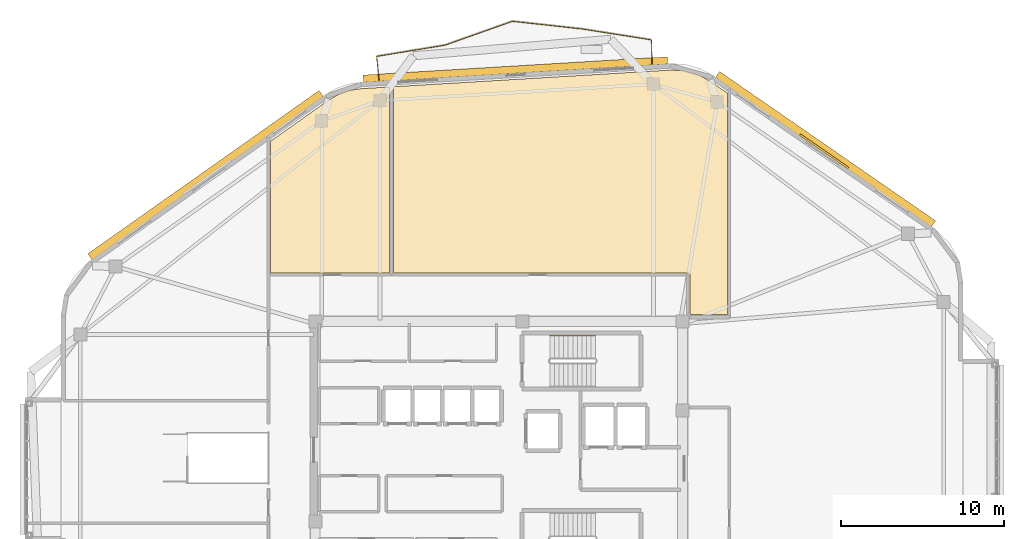
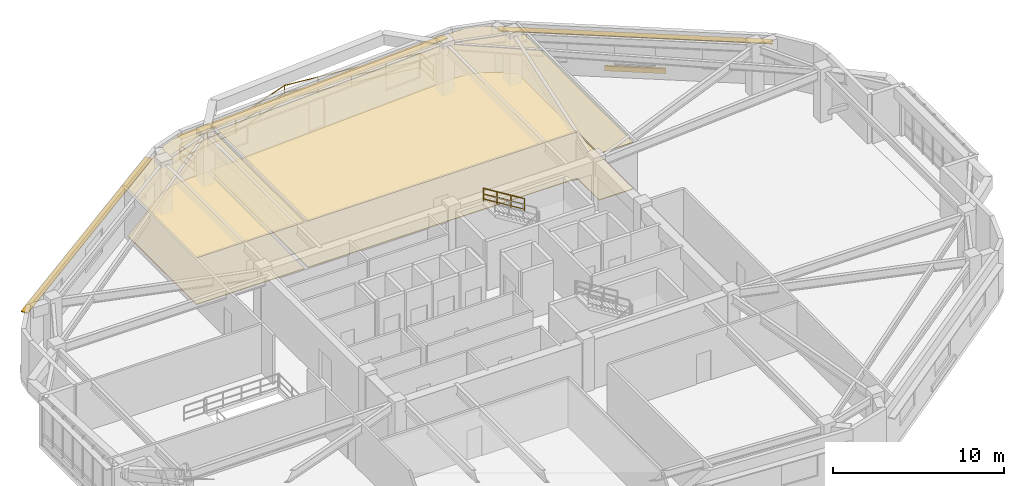
# One storey, part 16 of 16: 7 railings, 4 coverings, 4 shading devices.
"""IFC4 building model written with IfcOpenShell, lengths in metres."""

from ifc_helpers import new_model, si_unit, direction, frame, origin, origin_2d, place, context, subcontext, project, spatial, polyline, rectangle, outline, extrude, material, layer, layer_set, type_object, element, save


model = new_model("IFC4")

# Units and contexts
model_context = context("Model", 3, precision=1e-05, world=origin(), true_north=direction((0.0, 1.0)))
body_context = subcontext(model_context, "Body", "Model", "MODEL_VIEW")
ifc_project = project(units=[si_unit("LENGTHUNIT", "METRE"), si_unit("AREAUNIT", "SQUARE_METRE"), si_unit("VOLUMEUNIT", "CUBIC_METRE"), si_unit("PLANEANGLEUNIT", "RADIAN"), si_unit("MASSUNIT", "GRAM", prefix="KILO")], contexts=[model_context])

# Site, building, storey
site_placement = place(None, origin())
site = spatial("IfcSite", under=ifc_project, at=site_placement, CompositionType="ELEMENT")
building_placement = place(site_placement, origin())
building = spatial("IfcBuilding", under=site, at=building_placement, Name="Zulverin Broadcast Headquarters", CompositionType="ELEMENT")
storey_placement = place(building_placement, frame((0.0, 0.0, 228.800048828125)))
storey = spatial("IfcBuildingStorey", under=building, at=storey_placement, Name="L58", CompositionType="ELEMENT", Elevation=228.800048828125)

# Coverings
ifc_material_1 = material(Name="Perforated pale-metal acoustic baffle ceiling", Category="aluminium")
ifc_layer_1 = layer(ifc_material_1, 0.0400390625, Name="Perforated pale-metal acoustic baffle ceiling", Category="aluminium")
ifc_layer_set_1 = layer_set([ifc_layer_1], Name="Perforated pale-metal acoustic baffle ceiling")
covering_type_1 = type_object("IfcCoveringType", Name="COV-CEIL-ACOU", PredefinedType="CEILING", material=ifc_layer_set_1)
covering_1_placement = place(storey_placement, frame((0.0, 0.0, 3.329833984375)))
element("IfcCovering", 1, at=covering_1_placement, inside=storey, type_object=covering_type_1, Name="L58 Acoustic Baffle Ceiling 01", PredefinedType="CEILING", context=body_context, shape_type="SweptSolid", body=[
    extrude(outline(polyline([(30.280029296875, 36.068115234375), (30.280029296875, 47.47607421875), (28.52392578125, 47.3720703125), (27.827880859375, 47.26806640625), (27.18798828125, 47.0400390625), (26.575927734375, 46.69189453125), (22.968017578125, 44.139892578125), (22.968017578125, 36.068115234375), (30.280029296875, 36.068115234375)])), origin(), (0.0, 0.0, 1.0), 0.0400390625),
])
covering_2_placement = place(storey_placement, frame((0.0, 0.0, 3.329833984375)))
element("IfcCovering", 2, at=covering_2_placement, inside=storey, type_object=covering_type_1, Name="L58 Acoustic Baffle Ceiling 02", PredefinedType="CEILING", context=body_context, shape_type="SweptSolid", body=[
    extrude(outline(polyline([(48.716064453125, 35.971923828125), (48.719970703125, 35.9599609375), (48.719970703125, 35.947998046875), (48.719970703125, 33.5), (51.031982421875, 33.5), (51.031982421875, 47.087890625), (49.924072265625, 47.85205078125), (49.18798828125, 48.251953125), (48.39599609375, 48.471923828125), (47.56005859375, 48.51611328125), (30.52001953125, 47.491943359375), (30.52001953125, 36.068115234375), (48.60009765625, 36.068115234375), (48.612060546875, 36.068115234375), (48.6240234375, 36.06396484375), (48.635986328125, 36.06396484375), (48.64404296875, 36.06005859375), (48.656005859375, 36.052001953125), (48.66796875, 36.048095703125), (48.676025390625, 36.0400390625), (48.68408203125, 36.031982421875), (48.69189453125, 36.02392578125), (48.699951171875, 36.01611328125), (48.7041015625, 36.00390625), (48.7119140625, 35.991943359375), (48.716064453125, 35.98388671875), (48.716064453125, 35.971923828125)])), origin(), (0.0, 0.0, 1.0), 0.0400390625),
])
ifc_material_2 = material(Name="Anti-static broadcast raised access flooring", Category="stone")
ifc_layer_2 = layer(ifc_material_2, 0.050048828125, Name="Anti-static broadcast raised access flooring", Category="stone")
ifc_layer_set_2 = layer_set([ifc_layer_2], Name="Anti-static broadcast raised access flooring")
covering_type_2 = type_object("IfcCoveringType", Name="COV-FLR-RAISED", PredefinedType="FLOORING", material=ifc_layer_set_2)
covering_3_placement = place(storey_placement, origin())
element("IfcCovering", 3, at=covering_3_placement, inside=storey, type_object=covering_type_2, Name="L58 Broadcast Raised Access Flooring 01", PredefinedType="FLOORING", context=body_context, shape_type="SweptSolid", body=[
    extrude(outline(polyline([(30.280029296875, 36.068115234375), (30.280029296875, 47.47607421875), (28.52392578125, 47.3720703125), (27.827880859375, 47.26806640625), (27.18798828125, 47.0400390625), (26.575927734375, 46.69189453125), (22.968017578125, 44.139892578125), (22.968017578125, 36.068115234375), (30.280029296875, 36.068115234375)])), origin(), (0.0, 0.0, 1.0), 0.050048828125),
])
covering_4_placement = place(storey_placement, origin())
element("IfcCovering", 4, at=covering_4_placement, inside=storey, type_object=covering_type_2, Name="L58 Broadcast Raised Access Flooring 02", PredefinedType="FLOORING", context=body_context, shape_type="SweptSolid", body=[
    extrude(outline(polyline([(48.716064453125, 35.971923828125), (48.719970703125, 35.9599609375), (48.719970703125, 35.947998046875), (48.719970703125, 33.5), (51.031982421875, 33.5), (51.031982421875, 47.087890625), (49.924072265625, 47.85205078125), (49.18798828125, 48.251953125), (48.39599609375, 48.471923828125), (47.56005859375, 48.51611328125), (30.52001953125, 47.491943359375), (30.52001953125, 36.068115234375), (48.60009765625, 36.068115234375), (48.612060546875, 36.068115234375), (48.6240234375, 36.06396484375), (48.635986328125, 36.06396484375), (48.64404296875, 36.06005859375), (48.656005859375, 36.052001953125), (48.66796875, 36.048095703125), (48.676025390625, 36.0400390625), (48.68408203125, 36.031982421875), (48.69189453125, 36.02392578125), (48.699951171875, 36.01611328125), (48.7041015625, 36.00390625), (48.7119140625, 35.991943359375), (48.716064453125, 35.98388671875), (48.716064453125, 35.971923828125)])), origin(), (0.0, 0.0, 1.0), 0.050048828125),
])

# Railings
ifc_material_3 = material(Name="Brushed stainless steel & laminated glass balustrade", Category="steel")
railing_type_1 = type_object("IfcRailingType", Name="RL-GUARD-1150", PredefinedType="GUARDRAIL", material=ifc_material_3)
railing_1_placement = place(storey_placement, frame((46.397216796875, 48.885498046875, 0.0)))
element("IfcRailing", 5, at=railing_1_placement, inside=storey, type_object=railing_type_1, Name="L58 Vertical-Forest Balcony Guardrail BAL_N Segment 01", PredefinedType="GUARDRAIL", context=body_context, shape_type="SweptSolid", body=[
    extrude(rectangle(XDim=0.048095703125, YDim=0.048095703125, at=origin_2d()), frame((0.0, 0.0, 1.1259765625), z_axis=(-0.019480066399, 0.999810245503, 0.0), x_axis=(-0.999810245503, -0.019480066399, 0.0)), (0.0, 0.0, 1.0), 1.46630859375),
    extrude(rectangle(XDim=0.0419921875, YDim=0.0419921875, at=origin_2d()), frame((0.0, 0.0, 0.597900390625), z_axis=(-0.019480066399, 0.999810245503, 0.0), x_axis=(-0.999810245503, -0.019480066399, 0.0)), (0.0, 0.0, 1.0), 1.46630859375),
    extrude(rectangle(XDim=0.0419921875, YDim=0.0419921875, at=origin_2d()), frame((0.0, 0.0, 0.1201171875), z_axis=(-0.019480066399, 0.999810245503, 0.0), x_axis=(-0.999810245503, -0.019480066399, 0.0)), (0.0, 0.0, 1.0), 1.46630859375),
    extrude(rectangle(XDim=0.0419921875, YDim=0.0419921875, at=origin_2d()), origin(), (0.0, 0.0, 1.0), 1.101806640625),
    extrude(rectangle(XDim=0.0419921875, YDim=0.0419921875, at=origin_2d()), frame((-0.028564453125, 1.466064453125, 0.0)), (0.0, 0.0, 1.0), 1.101806640625),
])
railing_2_placement = place(storey_placement, frame((46.353515625, 50.368896484375, 0.0)))
element("IfcRailing", 6, at=railing_2_placement, inside=storey, type_object=railing_type_1, Name="L58 Vertical-Forest Balcony Guardrail BAL_N Segment 02", PredefinedType="GUARDRAIL", context=body_context, shape_type="SweptSolid", body=[
    extrude(rectangle(XDim=0.048095703125, YDim=0.048095703125, at=origin_2d()), frame((0.0, 0.0, 1.1259765625), z_axis=(-0.987859947103, 0.155347111047, 0.0), x_axis=(-0.155347111047, -0.987859947103, 0.0)), (0.0, 0.0, 1.0), 4.29833984375),
    extrude(rectangle(XDim=0.0419921875, YDim=0.0419921875, at=origin_2d()), frame((0.0, 0.0, 0.597900390625), z_axis=(-0.987859947103, 0.155347111047, 0.0), x_axis=(-0.155347111047, -0.987859947103, 0.0)), (0.0, 0.0, 1.0), 4.29833984375),
    extrude(rectangle(XDim=0.0419921875, YDim=0.0419921875, at=origin_2d()), frame((0.0, 0.0, 0.1201171875), z_axis=(-0.987859947103, 0.155347111047, 0.0), x_axis=(-0.155347111047, -0.987859947103, 0.0)), (0.0, 0.0, 1.0), 4.29833984375),
    extrude(rectangle(XDim=0.0419921875, YDim=0.0419921875, at=origin_2d()), origin(), (0.0, 0.0, 1.0), 1.101806640625),
    extrude(rectangle(XDim=0.0419921875, YDim=0.0419921875, at=origin_2d()), frame((-2.123046875, 0.333984375, 0.0)), (0.0, 0.0, 1.0), 1.101806640625),
    extrude(rectangle(XDim=0.0419921875, YDim=0.0419921875, at=origin_2d()), frame((-4.24609375, 0.667724609375, 0.0)), (0.0, 0.0, 1.0), 1.101806640625),
])
railing_3_placement = place(storey_placement, frame((42.07763671875, 51.04052734375, 0.0)))
element("IfcRailing", 7, at=railing_3_placement, inside=storey, type_object=railing_type_1, Name="L58 Vertical-Forest Balcony Guardrail BAL_N Segment 03", PredefinedType="GUARDRAIL", context=body_context, shape_type="SweptSolid", body=[
    extrude(rectangle(XDim=0.048095703125, YDim=0.048095703125, at=origin_2d()), frame((0.0, 0.0, 1.1259765625), z_axis=(-0.994013759545, 0.109254957943, 0.0), x_axis=(-0.109254957943, -0.994013759545, 0.0)), (0.0, 0.0, 1.0), 4.259033203125),
    extrude(rectangle(XDim=0.0419921875, YDim=0.0419921875, at=origin_2d()), frame((0.0, 0.0, 0.597900390625), z_axis=(-0.994013759545, 0.109254957943, 0.0), x_axis=(-0.109254957943, -0.994013759545, 0.0)), (0.0, 0.0, 1.0), 4.259033203125),
    extrude(rectangle(XDim=0.0419921875, YDim=0.0419921875, at=origin_2d()), frame((0.0, 0.0, 0.1201171875), z_axis=(-0.994013759545, 0.109254957943, 0.0), x_axis=(-0.109254957943, -0.994013759545, 0.0)), (0.0, 0.0, 1.0), 4.259033203125),
    extrude(rectangle(XDim=0.0419921875, YDim=0.0419921875, at=origin_2d()), origin(), (0.0, 0.0, 1.0), 1.101806640625),
    extrude(rectangle(XDim=0.0419921875, YDim=0.0419921875, at=origin_2d()), frame((-2.11669921875, 0.232666015625, 0.0)), (0.0, 0.0, 1.0), 1.101806640625),
    extrude(rectangle(XDim=0.0419921875, YDim=0.0419921875, at=origin_2d()), frame((-4.233642578125, 0.46533203125, 0.0)), (0.0, 0.0, 1.0), 1.101806640625),
])
railing_4_placement = place(storey_placement, frame((37.815185546875, 51.50244140625, 0.0)))
element("IfcRailing", 8, at=railing_4_placement, inside=storey, type_object=railing_type_1, Name="L58 Vertical-Forest Balcony Guardrail BAL_N Segment 04", PredefinedType="GUARDRAIL", context=body_context, shape_type="SweptSolid", body=[
    extrude(rectangle(XDim=0.048095703125, YDim=0.048095703125, at=origin_2d()), frame((0.0, 0.0, 1.1259765625), z_axis=(-0.942741464869, -0.333524407527, 0.0), x_axis=(0.333524407527, -0.942741464869, 0.0)), (0.0, 0.0, 1.0), 4.369384765625),
    extrude(rectangle(XDim=0.0419921875, YDim=0.0419921875, at=origin_2d()), frame((0.0, 0.0, 0.597900390625), z_axis=(-0.942741464869, -0.333524407527, 0.0), x_axis=(0.333524407527, -0.942741464869, 0.0)), (0.0, 0.0, 1.0), 4.369384765625),
    extrude(rectangle(XDim=0.0419921875, YDim=0.0419921875, at=origin_2d()), frame((0.0, 0.0, 0.1201171875), z_axis=(-0.942741464869, -0.333524407527, 0.0), x_axis=(0.333524407527, -0.942741464869, 0.0)), (0.0, 0.0, 1.0), 4.369384765625),
    extrude(rectangle(XDim=0.0419921875, YDim=0.0419921875, at=origin_2d()), origin(), (0.0, 0.0, 1.0), 1.101806640625),
    extrude(rectangle(XDim=0.0419921875, YDim=0.0419921875, at=origin_2d()), frame((-2.0595703125, -0.728515625, 0.0)), (0.0, 0.0, 1.0), 1.101806640625),
    extrude(rectangle(XDim=0.0419921875, YDim=0.0419921875, at=origin_2d()), frame((-4.119140625, -1.457275390625, 0.0)), (0.0, 0.0, 1.0), 1.101806640625),
])
railing_5_placement = place(storey_placement, frame((33.6669921875, 50.037841796875, 0.0)))
element("IfcRailing", 9, at=railing_5_placement, inside=storey, type_object=railing_type_1, Name="L58 Vertical-Forest Balcony Guardrail BAL_N Segment 05", PredefinedType="GUARDRAIL", context=body_context, shape_type="SweptSolid", body=[
    extrude(rectangle(XDim=0.048095703125, YDim=0.048095703125, at=origin_2d()), frame((0.0, 0.0, 1.1259765625), z_axis=(-0.98683901874, -0.161705754668, 0.0), x_axis=(0.161705754668, -0.98683901874, 0.0)), (0.0, 0.0, 1.0), 4.2197265625),
    extrude(rectangle(XDim=0.0419921875, YDim=0.0419921875, at=origin_2d()), frame((0.0, 0.0, 0.597900390625), z_axis=(-0.98683901874, -0.161705754668, 0.0), x_axis=(0.161705754668, -0.98683901874, 0.0)), (0.0, 0.0, 1.0), 4.2197265625),
    extrude(rectangle(XDim=0.0419921875, YDim=0.0419921875, at=origin_2d()), frame((0.0, 0.0, 0.1201171875), z_axis=(-0.98683901874, -0.161705754668, 0.0), x_axis=(0.161705754668, -0.98683901874, 0.0)), (0.0, 0.0, 1.0), 4.2197265625),
    extrude(rectangle(XDim=0.0419921875, YDim=0.0419921875, at=origin_2d()), origin(), (0.0, 0.0, 1.0), 1.101806640625),
    extrude(rectangle(XDim=0.0419921875, YDim=0.0419921875, at=origin_2d()), frame((-2.08203125, -0.34130859375, 0.0)), (0.0, 0.0, 1.0), 1.101806640625),
    extrude(rectangle(XDim=0.0419921875, YDim=0.0419921875, at=origin_2d()), frame((-4.164306640625, -0.682373046875, 0.0)), (0.0, 0.0, 1.0), 1.101806640625),
])
railing_6_placement = place(storey_placement, frame((29.489501953125, 49.338134765625, 0.0)))
element("IfcRailing", 10, at=railing_6_placement, inside=storey, type_object=railing_type_1, Name="L58 Vertical-Forest Balcony Guardrail BAL_N Segment 06", PredefinedType="GUARDRAIL", context=body_context, shape_type="SweptSolid", body=[
    extrude(rectangle(XDim=0.048095703125, YDim=0.048095703125, at=origin_2d()), frame((0.0, 0.0, 1.1259765625), z_axis=(0.100245616419, -0.994962721105, 0.0), x_axis=(0.994962721105, 0.100245616419, 0.0)), (0.0, 0.0, 1.0), 1.466064453125),
    extrude(rectangle(XDim=0.0419921875, YDim=0.0419921875, at=origin_2d()), frame((0.0, 0.0, 0.597900390625), z_axis=(0.100245616419, -0.994962721105, 0.0), x_axis=(0.994962721105, 0.100245616419, 0.0)), (0.0, 0.0, 1.0), 1.466064453125),
    extrude(rectangle(XDim=0.0419921875, YDim=0.0419921875, at=origin_2d()), frame((0.0, 0.0, 0.1201171875), z_axis=(0.100245616419, -0.994962721105, 0.0), x_axis=(0.994962721105, 0.100245616419, 0.0)), (0.0, 0.0, 1.0), 1.466064453125),
    extrude(rectangle(XDim=0.0419921875, YDim=0.0419921875, at=origin_2d()), origin(), (0.0, 0.0, 1.0), 1.101806640625),
    extrude(rectangle(XDim=0.0419921875, YDim=0.0419921875, at=origin_2d()), frame((0.14697265625, -1.458740234375, 0.0)), (0.0, 0.0, 1.0), 1.101806640625),
])
ifc_material_4 = material(Name="Brushed stainless steel 48 mm handrail", Category="steel")
railing_type_2 = type_object("IfcRailingType", Name="RL-ST-HAND", PredefinedType="HANDRAIL", material=ifc_material_4)
railing_7_placement = place(storey_placement, frame((42.929931640625, 32.199951171875, 2.07275390625)))
element("IfcRailing", 11, at=railing_7_placement, inside=storey, type_object=railing_type_2, Name="L58 ST-1 stair handrail 2", PredefinedType="HANDRAIL", context=body_context, shape_type="SweptSolid", body=[
    extrude(rectangle(XDim=0.048095703125, YDim=0.048095703125, at=origin_2d()), frame((0.0, 0.0, 0.8759765625), z_axis=(-0.851089632645, 0.0, 0.525020415988), x_axis=(0.0, -1.0, 0.0)), (0.0, 0.0, 1.0), 3.2900390625),
    extrude(rectangle(XDim=0.0419921875, YDim=0.0419921875, at=origin_2d()), frame((0.0, 0.0, 0.468017578125), z_axis=(-0.851089632645, 0.0, 0.525020415988), x_axis=(0.0, -1.0, 0.0)), (0.0, 0.0, 1.0), 3.2900390625),
    extrude(rectangle(XDim=0.0419921875, YDim=0.0419921875, at=origin_2d()), frame((0.0, 0.0, 0.1201171875), z_axis=(-0.851089632645, 0.0, 0.525020415988), x_axis=(0.0, -1.0, 0.0)), (0.0, 0.0, 1.0), 3.2900390625),
    extrude(rectangle(XDim=0.0419921875, YDim=0.0419921875, at=origin_2d()), origin(), (0.0, 0.0, 1.0), 0.851806640625),
    extrude(rectangle(XDim=0.0419921875, YDim=0.0419921875, at=origin_2d()), frame((-0.933349609375, 0.0, 0.57568359375)), (0.0, 0.0, 1.0), 0.851806640625),
    extrude(rectangle(XDim=0.0419921875, YDim=0.0419921875, at=origin_2d()), frame((-1.86669921875, 0.0, 1.151611328125)), (0.0, 0.0, 1.0), 0.851806640625),
    extrude(rectangle(XDim=0.0419921875, YDim=0.0419921875, at=origin_2d()), frame((-2.800048828125, 0.0, 1.727294921875)), (0.0, 0.0, 1.0), 0.851806640625),
])

# Shading devices
ifc_material_5 = material(Name="Anodized pale-metal aluminium acoustic louvre", Category="aluminium")
shading_device_type_1 = type_object("IfcShadingDeviceType", Name="SHD-LOUVRE-350", PredefinedType="USERDEFINED", material=ifc_material_5)
shading_device_1_placement = place(storey_placement, frame((56.955322265625, 43.52978515625, 0.244873046875), z_axis=(0.0, 0.0, 1.0), x_axis=(-0.822655402653, 0.568540313861, 0.0)))
element("IfcShadingDevice", 12, at=shading_device_1_placement, inside=storey, type_object=shading_device_type_1, Name="L58 Spandrel Intake Louvre 4", ObjectType="LOUVRE", PredefinedType="USERDEFINED", context=body_context, shape_type="SweptSolid", body=[
    extrude(rectangle(XDim=3.60009765625, YDim=0.1201171875, at=origin_2d()), origin(), (0.0, 0.0, 1.0), 0.35009765625),
])
ifc_material_6 = material(Name="Anodized pale-metal aluminium sunshade", Category="aluminium")
ifc_layer_3 = layer(ifc_material_6, 0.06005859375, Name="Anodized pale-metal aluminium sunshade", Category="aluminium")
ifc_layer_set_3 = layer_set([ifc_layer_3], Name="Anodized pale-metal aluminium sunshade")
shading_device_type_2 = type_object("IfcShadingDeviceType", Name="SS-01_PALE_METAL_ALUMINIUM_SUNSHADE", PredefinedType="USERDEFINED", material=ifc_layer_set_3)
shading_device_2_placement = place(storey_placement, frame((57.04638671875, 43.66162109375, 2.7099609375), z_axis=(0.0, 0.0, 1.0), x_axis=(-0.822655402653, 0.568540313861, 0.0)))
element("IfcShadingDevice", 13, at=shading_device_2_placement, inside=storey, type_object=shading_device_type_2, Name="L58 Horizontal Pale-Metal Sunshade Band 4", ObjectType="SUNSHADE", PredefinedType="USERDEFINED", context=body_context, shape_type="SweptSolid", body=[
    extrude(rectangle(XDim=16.1279296875, YDim=0.449951171875, at=origin_2d()), origin(), (0.0, 0.0, 1.0), 0.06005859375),
])
shading_device_3_placement = place(storey_placement, frame((38.007080078125, 48.542236328125, 2.7099609375), z_axis=(0.0, 0.0, 1.0), x_axis=(-0.99820257679, -0.059930090026, 0.0)))
element("IfcShadingDevice", 14, at=shading_device_3_placement, inside=storey, type_object=shading_device_type_2, Name="L58 Horizontal Pale-Metal Sunshade Band 5", ObjectType="SUNSHADE", PredefinedType="USERDEFINED", context=body_context, shape_type="SweptSolid", body=[
    extrude(rectangle(XDim=18.710693359375, YDim=0.449951171875, at=origin_2d()), origin(), (0.0, 0.0, 1.0), 0.06005859375),
])
shading_device_4_placement = place(storey_placement, frame((18.98388671875, 42.064453125, 2.7099609375), z_axis=(0.0, 0.0, 1.0), x_axis=(-0.817023146348, -0.576604871929, 0.0)))
element("IfcShadingDevice", 15, at=shading_device_4_placement, inside=storey, type_object=shading_device_type_2, Name="L58 Horizontal Pale-Metal Sunshade Band 6", ObjectType="SUNSHADE", PredefinedType="USERDEFINED", context=body_context, shape_type="SweptSolid", body=[
    extrude(rectangle(XDim=17.3798828125, YDim=0.449951171875, at=origin_2d()), origin(), (0.0, 0.0, 1.0), 0.06005859375),
])

save(model, "model.ifc")
